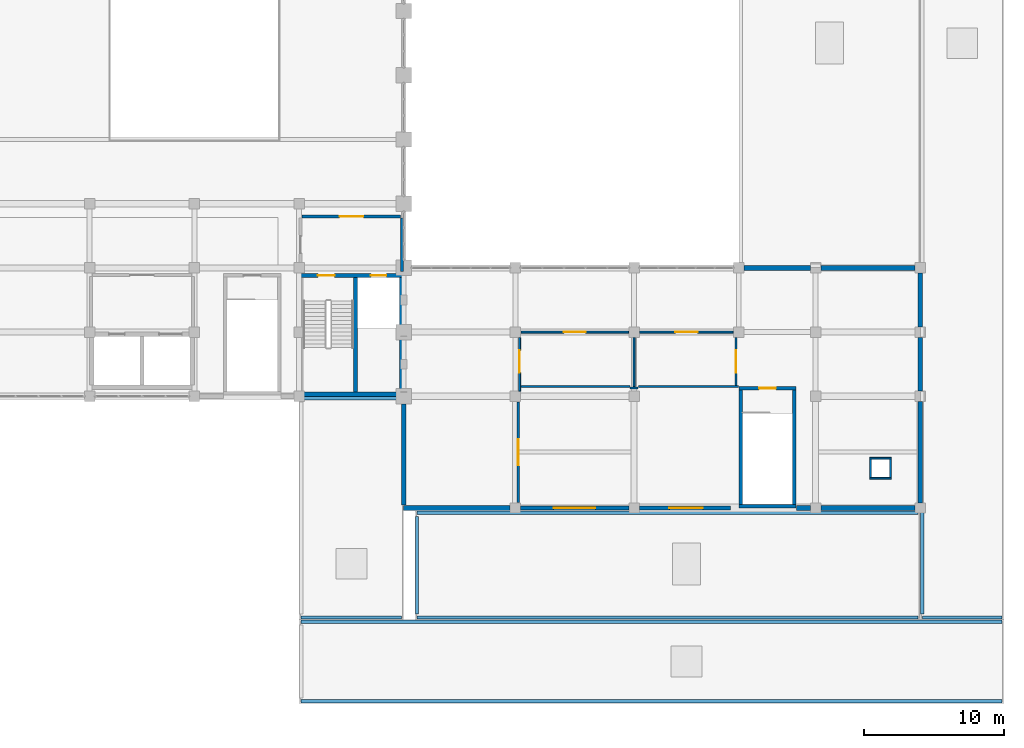
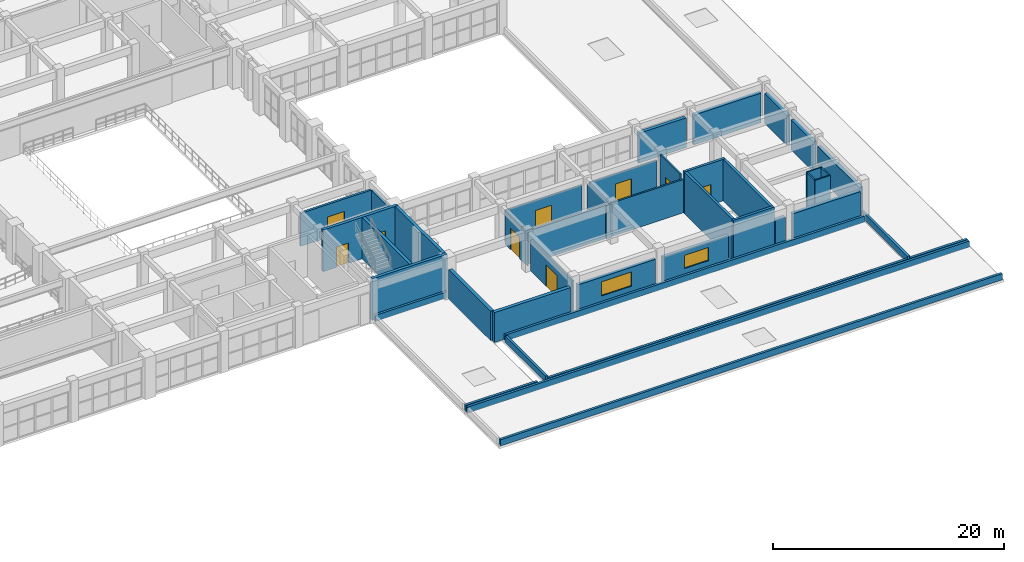
# One storey, part 76 of 90: 43 walls, 9 doors, 2 windows, 11 openings.
"""IFC4 building model written with IfcOpenShell, lengths in metres."""

from ifc_helpers import new_model, si_unit, direction, frame, frame_2d, origin, place, context, subcontext, project, spatial, rectangle, extrude, material, layer, layer_set, type_object, element, fill, save


model = new_model("IFC4")

# Units and contexts
model_context = context("Model", 3, precision=1e-05, world=origin(), true_north=direction((0.0, 1.0)))
body_context = subcontext(model_context, "Body", "Model", "MODEL_VIEW")
ifc_project = project(units=[si_unit("LENGTHUNIT", "METRE"), si_unit("AREAUNIT", "SQUARE_METRE"), si_unit("VOLUMEUNIT", "CUBIC_METRE"), si_unit("PLANEANGLEUNIT", "RADIAN"), si_unit("MASSUNIT", "GRAM", prefix="KILO")], contexts=[model_context])

# Site, building, storey
site_placement = place(None, origin())
site = spatial("IfcSite", under=ifc_project, at=site_placement, CompositionType="ELEMENT")
building_placement = place(site_placement, origin())
building = spatial("IfcBuilding", under=site, at=building_placement, Name="Muzn Square Opera House", CompositionType="ELEMENT")
storey_placement = place(building_placement, frame((0.0, 0.0, 9.800048828125)))
storey = spatial("IfcBuildingStorey", under=building, at=storey_placement, Name="L02", CompositionType="ELEMENT", Elevation=9.800048828125)

# Walls
ifc_material_1 = material(Name="Concrete C45/55", Category="concrete")
ifc_layer_1 = layer(ifc_material_1, 0.25, Name="Concrete C45/55", Category="concrete")
ifc_layer_set_1 = layer_set([ifc_layer_1], Name="Concrete C45/55")
wall_type_1 = type_object("IfcWallType", Name="Aux Stair Enclosure Wall 250mm", PredefinedType="SHEAR", material=ifc_layer_set_1)
wall_1_placement = place(storey_placement, frame((157.0, 14.125, 0.0), z_axis=(0.0, 0.0, 1.0), x_axis=(1.0, 0.0, 0.0)))
element("IfcWall", 1, at=wall_1_placement, inside=storey, type_object=wall_type_1, Name="Escape Stair ST-8 Wall S L02", PredefinedType="SHEAR", context=body_context, shape_type="SweptSolid", body=[
    extrude(rectangle(XDim=4.10009765625, YDim=0.25, at=frame_2d((2.050048828125, 0.0))), origin(), (0.0, 0.0, 1.0), 4.39990234375),
])
for number, where, z_axis, x_axis, name in (
    (2, (157.125, 14.25, 0.0), (0.0, 0.0, 1.0), (0.0, 1.0, 0.0), "Escape Stair ST-8 Wall W L02"),
    (3, (160.97509765625, 14.25, 0.0), (0.0, 0.0, 1.0), (0.0, 1.0, 0.0), "Escape Stair ST-8 Wall E L02"),
):
    element("IfcWall", number, at=place(storey_placement, frame(where, z_axis=z_axis, x_axis=x_axis)), inside=storey, type_object=wall_type_1, Name=name, PredefinedType="SHEAR", context=body_context, shape_type="SweptSolid", body=[
        extrude(rectangle(XDim=8.199951171875, YDim=0.25, at=frame_2d((4.10009765625, 0.0))), origin(), (0.0, 0.0, 1.0), 4.39990234375),
    ])

# Wall, opening, door
wall_2_placement = place(storey_placement, frame((157.0, 22.574951171875, 0.0), z_axis=(0.0, 0.0, 1.0), x_axis=(1.0, 0.0, 0.0)))
wall_2 = element("IfcWall", 4, at=wall_2_placement, inside=storey, type_object=wall_type_1, Name="Escape Stair ST-8 Wall N L02", PredefinedType="SHEAR", context=body_context, shape_type="SweptSolid", body=[
    extrude(rectangle(XDim=4.10009765625, YDim=0.25, at=frame_2d((2.050048828125, 0.0))), origin(), (0.0, 0.0, 1.0), 4.39990234375),
])
opening_1_placement = place(wall_2_placement, frame((1.449951171875, 0.0, 0.0)))
opening_1 = element("IfcOpeningElement", 5, at=opening_1_placement, cuts=wall_2, Name="Opening DR-ST12", PredefinedType="OPENING", context=body_context, shape_type="SweptSolid", body=[
    extrude(rectangle(XDim=1.199951171875, YDim=2.14990234375, at=frame_2d((0.60009765625, 1.074951171875))), frame((0.0, 0.135009765625, 0.0), z_axis=(0.0, -1.0, 0.0), x_axis=(1.0, 0.0, 0.0)), (0.0, 0.0, 1.0), 0.27001953125),
])
ifc_material_2 = material(Name="Galvanised painted steel leaf", Category="metal")
door_type_1 = type_object("IfcDoorType", Name="Core Stair Fire Door 1200x2150", OperationType="NOTDEFINED", PredefinedType="DOOR", material=ifc_material_2)
door_1_placement = place(opening_1_placement, origin())
door_1 = element("IfcDoor", 6, at=door_1_placement, inside=storey, type_object=door_type_1, Name="Escape Stair ST-8 Door L02", OperationType="SINGLE_SWING_LEFT", OverallHeight=2.14990234375, OverallWidth=1.199951171875, PredefinedType="DOOR", context=body_context, shape_type="SweptSolid", body=[
    extrude(rectangle(XDim=1.199951171875, YDim=2.14990234375, at=frame_2d((0.60009765625, 1.074951171875))), frame((0.0, 0.02490234375, 0.0), z_axis=(0.0, -1.0, 0.0), x_axis=(1.0, 0.0, 0.0)), (0.0, 0.0, 1.0), 0.050048828125),
])
fill(opening_1, door_1)

# Walls
ifc_layer_2 = layer(ifc_material_1, 0.300048828125, Name="Concrete C45/55", Category="concrete")
ifc_layer_set_2 = layer_set([ifc_layer_2], Name="Concrete C45/55")
wall_type_2 = type_object("IfcWallType", Name="Core Shear Wall 300mm", PredefinedType="SHEAR", material=ifc_layer_set_2)
wall_3_placement = place(storey_placement, frame((125.5, 22.14990234375, 0.0), z_axis=(0.0, 0.0, 1.0), x_axis=(1.0, 0.0, 0.0)))
element("IfcWall", 7, at=wall_3_placement, inside=storey, type_object=wall_type_2, Name="Core C4 Shear Wall SW-C4-L02-S", PredefinedType="SHEAR", context=body_context, shape_type="SweptSolid", body=[
    extrude(rectangle(XDim=7.5, YDim=0.300048828125, at=frame_2d((3.75, 0.0))), origin(), (0.0, 0.0, 1.0), 4.39990234375),
])
for number, where, z_axis, x_axis, name in (
    (8, (132.85009765625, 22.300048828125, 0.0), (0.0, 0.0, 1.0), (0.0, 1.0, 0.0), "Core C4 Shear Wall SW-C4-L02-E"),
    (9, (129.550048828125, 22.300048828125, 0.0), (0.0, 0.0, 1.0), (0.0, 1.0, 0.0), "Core C4 Shear Wall SW-C4-L02-DIV"),
):
    element("IfcWall", number, at=place(storey_placement, frame(where, z_axis=z_axis, x_axis=x_axis)), inside=storey, type_object=wall_type_2, Name=name, PredefinedType="SHEAR", context=body_context, shape_type="SweptSolid", body=[
        extrude(rectangle(XDim=8.199951171875, YDim=0.300048828125, at=frame_2d((4.10009765625, 0.0))), origin(), (0.0, 0.0, 1.0), 4.39990234375),
    ])

# Wall, openings, doors
wall_4_placement = place(storey_placement, frame((125.5, 30.64990234375, 0.0), z_axis=(0.0, 0.0, 1.0), x_axis=(1.0, 0.0, 0.0)))
wall_4 = element("IfcWall", 10, at=wall_4_placement, inside=storey, type_object=wall_type_2, Name="Core C4 Front Shear Wall L02", PredefinedType="SHEAR", context=body_context, shape_type="SweptSolid", body=[
    extrude(rectangle(XDim=7.5, YDim=0.300048828125, at=frame_2d((3.75, 0.0))), origin(), (0.0, 0.0, 1.0), 4.39990234375),
])
opening_2_placement = place(wall_4_placement, frame((1.35009765625, 0.0, 0.0)))
opening_2 = element("IfcOpeningElement", 11, at=opening_2_placement, cuts=wall_4, Name="Opening DR-ST12", PredefinedType="OPENING", context=body_context, shape_type="SweptSolid", body=[
    extrude(rectangle(XDim=1.199951171875, YDim=2.14990234375, at=frame_2d((0.60009765625, 1.074951171875))), frame((0.0, 0.159912109375, 0.0), z_axis=(0.0, -1.0, 0.0), x_axis=(1.0, 0.0, 0.0)), (0.0, 0.0, 1.0), 0.320068359375),
])
opening_3_placement = place(wall_4_placement, frame((5.14990234375, 0.0, 0.0)))
opening_3 = element("IfcOpeningElement", 12, at=opening_3_placement, cuts=wall_4, Name="Opening LD-01", PredefinedType="OPENING", context=body_context, shape_type="SweptSolid", body=[
    extrude(rectangle(XDim=1.10009765625, YDim=2.14990234375, at=frame_2d((0.550048828125, 1.074951171875))), frame((0.0, 0.159912109375, 0.0), z_axis=(0.0, -1.0, 0.0), x_axis=(1.0, 0.0, 0.0)), (0.0, 0.0, 1.0), 0.320068359375),
])
door_2_placement = place(opening_2_placement, origin())
door_2 = element("IfcDoor", 13, at=door_2_placement, inside=storey, type_object=door_type_1, Name="Core C4 Stair Door L02", OperationType="SINGLE_SWING_RIGHT", OverallHeight=2.14990234375, OverallWidth=1.199951171875, PredefinedType="DOOR", context=body_context, shape_type="SweptSolid", body=[
    extrude(rectangle(XDim=1.199951171875, YDim=2.14990234375, at=frame_2d((0.60009765625, 1.074951171875))), frame((0.0, 0.02490234375, 0.0), z_axis=(0.0, -1.0, 0.0), x_axis=(1.0, 0.0, 0.0)), (0.0, 0.0, 1.0), 0.050048828125),
])
fill(opening_2, door_2)
ifc_material_3 = material(Name="Brushed stainless steel", Category="metal")
door_type_2 = type_object("IfcDoorType", Name="Lift Landing Sliding Door 1100x2150", OperationType="SLIDING_TO_LEFT", PredefinedType="DOOR", material=ifc_material_3)
door_3_placement = place(opening_3_placement, origin())
door_3 = element("IfcDoor", 14, at=door_3_placement, inside=storey, type_object=door_type_2, Name="Lift PL-3 Sliding Landing Door L02", OperationType="SLIDING_TO_LEFT", OverallHeight=2.14990234375, OverallWidth=1.10009765625, PredefinedType="DOOR", context=body_context, shape_type="SweptSolid", body=[
    extrude(rectangle(XDim=1.10009765625, YDim=2.14990234375, at=frame_2d((0.550048828125, 1.074951171875))), frame((0.0, 0.02490234375, 0.0), z_axis=(0.0, -1.0, 0.0), x_axis=(1.0, 0.0, 0.0)), (0.0, 0.0, 1.0), 0.050048828125),
])
fill(opening_3, door_3)

# Wall, opening, window
ifc_material_4 = material(Name="Concrete C40/50", Category="concrete")
ifc_layer_3 = layer(ifc_material_4, 0.31005859375, Name="Concrete C40/50", Category="concrete")
ifc_layer_set_3 = layer_set([ifc_layer_3], Name="Concrete C40/50")
wall_type_3 = type_object("IfcWallType", Name="Exterior Gallery Facade Wall 310mm", PredefinedType="SOLIDWALL", material=ifc_layer_set_3)
wall_5_placement = place(storey_placement, frame((141.375, 14.0, 0.0), z_axis=(0.0, 0.0, 1.0), x_axis=(1.0, 0.0, 0.0)))
wall_5 = element("IfcWall", 15, at=wall_5_placement, inside=storey, type_object=wall_type_3, Name="Exterior Facade Wall EW-L02-089", PredefinedType="SOLIDWALL", context=body_context, shape_type="SweptSolid", body=[
    extrude(rectangle(XDim=7.75, YDim=0.31005859375, at=frame_2d((3.875, 0.0))), origin(), (0.0, 0.0, 1.0), 3.14990234375),
])
opening_4_placement = place(wall_5_placement, frame((2.35498046875, 0.0, 1.14990234375)))
opening_4 = element("IfcOpeningElement", 16, at=opening_4_placement, cuts=wall_5, Name="Opening WN-E3015", PredefinedType="OPENING", context=body_context, shape_type="SweptSolid", body=[
    extrude(rectangle(XDim=3.0, YDim=1.5, at=frame_2d((1.5, 0.75))), frame((0.0, 0.1650390625, 0.0), z_axis=(0.0, -1.0, 0.0), x_axis=(1.0, 0.0, 0.0)), (0.0, 0.0, 1.0), 0.330078125),
])
ifc_material_5 = material(Name="Low-E laminated acoustic double glazing", Category="glass")
window_type_1 = type_object("IfcWindowType", Name="Exhibition Clerestory Window 3000x1500", PartitioningType="DOUBLE_PANEL_HORIZONTAL", PredefinedType="WINDOW", material=ifc_material_5)
window_1_placement = place(opening_4_placement, origin())
window_1 = element("IfcWindow", 17, at=window_1_placement, inside=storey, type_object=window_type_1, Name="Exhibition Clerestory Window 3000x1500 EW-L02-089-WN01", OverallHeight=1.5, OverallWidth=3.0, PartitioningType="SINGLE_PANEL", PredefinedType="WINDOW", context=body_context, shape_type="SweptSolid", body=[
    extrude(rectangle(XDim=3.0, YDim=1.5, at=frame_2d((1.5, 0.75))), frame((0.0, 0.030029296875, 0.0), z_axis=(0.0, -1.0, 0.0), x_axis=(1.0, 0.0, 0.0)), (0.0, 0.0, 1.0), 0.06005859375),
])
fill(opening_4, window_1)

wall_6_placement = place(storey_placement, frame((149.875, 14.0, 0.0), z_axis=(0.0, 0.0, 1.0), x_axis=(1.0, 0.0, 0.0)))
wall_6 = element("IfcWall", 18, at=wall_6_placement, inside=storey, type_object=wall_type_3, Name="Exterior Facade Wall EW-L02-090", PredefinedType="SOLIDWALL", context=body_context, shape_type="SweptSolid", body=[
    extrude(rectangle(XDim=6.544921875, YDim=0.31005859375, at=frame_2d((3.2724609375, 0.0))), origin(), (0.0, 0.0, 1.0), 3.099853515625),
])
opening_5_placement = place(wall_6_placement, frame((2.155029296875, 0.0, 1.14990234375)))
opening_5 = element("IfcOpeningElement", 19, at=opening_5_placement, cuts=wall_6, Name="Opening WN-E2414", PredefinedType="OPENING", context=body_context, shape_type="SweptSolid", body=[
    extrude(rectangle(XDim=2.39990234375, YDim=1.39990234375, at=frame_2d((1.199951171875, 0.699951171875))), frame((0.0, 0.1650390625, 0.0), z_axis=(0.0, -1.0, 0.0), x_axis=(1.0, 0.0, 0.0)), (0.0, 0.0, 1.0), 0.330078125),
])
window_type_2 = type_object("IfcWindowType", Name="Exhibition Clerestory Window 2400x1400", PartitioningType="DOUBLE_PANEL_HORIZONTAL", PredefinedType="WINDOW", material=ifc_material_5)
window_2_placement = place(opening_5_placement, origin())
window_2 = element("IfcWindow", 20, at=window_2_placement, inside=storey, type_object=window_type_2, Name="Exhibition Clerestory Window 2400x1400 EW-L02-090-WN01", OverallHeight=1.39990234375, OverallWidth=2.39990234375, PartitioningType="SINGLE_PANEL", PredefinedType="WINDOW", context=body_context, shape_type="SweptSolid", body=[
    extrude(rectangle(XDim=2.39990234375, YDim=1.39990234375, at=frame_2d((1.199951171875, 0.699951171875))), frame((0.0, 0.030029296875, 0.0), z_axis=(0.0, -1.0, 0.0), x_axis=(1.0, 0.0, 0.0)), (0.0, 0.0, 1.0), 0.06005859375),
])
fill(opening_5, window_2)

# Walls
ifc_layer_4 = layer(ifc_material_4, 0.340087890625, Name="Concrete C40/50", Category="concrete")
ifc_layer_set_4 = layer_set([ifc_layer_4], Name="Concrete C40/50")
wall_type_4 = type_object("IfcWallType", Name="Exterior Insulated Spandrel Wall 340mm", PredefinedType="SOLIDWALL", material=ifc_layer_set_4)
wall_7_placement = place(storey_placement, frame((157.375, 31.199951171875, 0.0), z_axis=(0.0, 0.0, 1.0), x_axis=(1.0, 0.0, 0.0)))
element("IfcWall", 21, at=wall_7_placement, inside=storey, type_object=wall_type_4, Name="Exterior Facade Wall EW-L02-199", PredefinedType="SOLIDWALL", context=body_context, shape_type="SweptSolid", body=[
    extrude(rectangle(XDim=4.75, YDim=0.340087890625, at=frame_2d((2.375, 0.0))), origin(), (0.0, 0.0, 1.0), 3.14990234375),
])
wall_8_placement = place(storey_placement, frame((162.875, 31.199951171875, 0.0), z_axis=(0.0, 0.0, 1.0), x_axis=(1.0, 0.0, 0.0)))
element("IfcWall", 22, at=wall_8_placement, inside=storey, type_object=wall_type_4, Name="Exterior Facade Wall EW-L02-200", PredefinedType="SOLIDWALL", context=body_context, shape_type="SweptSolid", body=[
    extrude(rectangle(XDim=6.75, YDim=0.340087890625, at=frame_2d((3.375, 0.0))), origin(), (0.0, 0.0, 1.0), 3.14990234375),
])
wall_9_placement = place(storey_placement, frame((170.0, 14.375, 0.0), z_axis=(0.0, 0.0, 1.0), x_axis=(0.0, 1.0, 0.0)))
element("IfcWall", 23, at=wall_9_placement, inside=storey, type_object=wall_type_4, Name="Exterior Facade Wall EW-L02-201", PredefinedType="SOLIDWALL", context=body_context, shape_type="SweptSolid", body=[
    extrude(rectangle(XDim=7.25, YDim=0.340087890625, at=frame_2d((3.625, 0.0))), origin(), (0.0, 0.0, 1.0), 3.14990234375),
])
wall_10_placement = place(storey_placement, frame((170.0, 22.375, 0.0), z_axis=(0.0, 0.0, 1.0), x_axis=(0.0, 1.0, 0.0)))
element("IfcWall", 24, at=wall_10_placement, inside=storey, type_object=wall_type_4, Name="Exterior Facade Wall EW-L02-202", PredefinedType="SOLIDWALL", context=body_context, shape_type="SweptSolid", body=[
    extrude(rectangle(XDim=3.85009765625, YDim=0.340087890625, at=frame_2d((1.925048828125, 0.0))), origin(), (0.0, 0.0, 1.0), 3.14990234375),
])
wall_11_placement = place(storey_placement, frame((170.0, 26.97509765625, 0.0), z_axis=(0.0, 0.0, 1.0), x_axis=(0.0, 1.0, 0.0)))
element("IfcWall", 25, at=wall_11_placement, inside=storey, type_object=wall_type_4, Name="Exterior Facade Wall EW-L02-203", PredefinedType="SOLIDWALL", context=body_context, shape_type="SweptSolid", body=[
    extrude(rectangle(XDim=3.849853515625, YDim=0.340087890625, at=frame_2d((1.9248046875, 0.0))), origin(), (0.0, 0.0, 1.0), 3.14990234375),
])
wall_12_placement = place(storey_placement, frame((133.0, 14.0, 0.0), z_axis=(0.0, 0.0, 1.0), x_axis=(1.0, 0.0, 0.0)))
element("IfcWall", 26, at=wall_12_placement, inside=storey, type_object=wall_type_4, Name="Exterior Facade Wall EW-L02-204", PredefinedType="SOLIDWALL", context=body_context, shape_type="SweptSolid", body=[
    extrude(rectangle(XDim=7.625, YDim=0.340087890625, at=frame_2d((3.8125, 0.0))), origin(), (0.0, 0.0, 1.0), 3.14990234375),
])
wall_13_placement = place(storey_placement, frame((162.875, 14.0, 0.0), z_axis=(0.0, 0.0, 1.0), x_axis=(1.0, 0.0, 0.0)))
element("IfcWall", 27, at=wall_13_placement, inside=storey, type_object=wall_type_4, Name="Exterior Facade Wall EW-L02-206", PredefinedType="SOLIDWALL", context=body_context, shape_type="SweptSolid", body=[
    extrude(rectangle(XDim=6.75, YDim=0.340087890625, at=frame_2d((3.375, 0.0))), origin(), (0.0, 0.0, 1.0), 3.14990234375),
])
wall_14_placement = place(storey_placement, frame((133.0, 14.199951171875, 0.0), z_axis=(0.0, 0.0, 1.0), x_axis=(0.0, 1.0, 0.0)))
element("IfcWall", 28, at=wall_14_placement, inside=storey, type_object=wall_type_4, Name="Exterior Facade Wall EW-L02-207", PredefinedType="SOLIDWALL", context=body_context, shape_type="SweptSolid", body=[
    extrude(rectangle(XDim=7.25, YDim=0.340087890625, at=frame_2d((3.625, 0.0))), origin(), (0.0, 0.0, 1.0), 3.14990234375),
])
wall_15_placement = place(storey_placement, frame((161.1201171875, 14.0, 0.0), z_axis=(0.0, 0.0, 1.0), x_axis=(1.0, 0.0, 0.0)))
element("IfcWall", 29, at=wall_15_placement, inside=storey, type_object=wall_type_4, Name="Exterior Facade Wall EW-L02-205", PredefinedType="SOLIDWALL", context=body_context, shape_type="SweptSolid", body=[
    extrude(rectangle(XDim=1.0048828125, YDim=0.340087890625, at=frame_2d((0.50244140625, 0.0))), origin(), (0.0, 0.0, 1.0), 3.099853515625),
])
ifc_material_6 = material(Name="Acoustic gypsum stud partition", Category="gypsum")
ifc_layer_5 = layer(ifc_material_6, 0.169921875, Name="Acoustic gypsum stud partition", Category="gypsum")
ifc_layer_set_5 = layer_set([ifc_layer_5], Name="Acoustic gypsum stud partition")
wall_type_5 = type_object("IfcWallType", Name="Gallery Partition 170mm", PredefinedType="PARTITIONING", material=ifc_layer_set_5)
wall_16_placement = place(storey_placement, frame((141.375, 22.699951171875, 0.0), z_axis=(0.0, 0.0, 1.0), x_axis=(1.0, 0.0, 0.0)))
element("IfcWall", 30, at=wall_16_placement, inside=storey, type_object=wall_type_5, Name="Interior Partition PW-L02-0258", PredefinedType="PARTITIONING", context=body_context, shape_type="SweptSolid", body=[
    extrude(rectangle(XDim=7.824951171875, YDim=0.169921875, at=frame_2d((3.91259765625, 0.0))), origin(), (0.0, 0.0, 1.0), 3.530029296875),
])

# Wall, opening, door
wall_17_placement = place(storey_placement, frame((141.199951171875, 14.39990234375, 0.0), z_axis=(0.0, 0.0, 1.0), x_axis=(0.0, 1.0, 0.0)))
wall_17 = element("IfcWall", 31, at=wall_17_placement, inside=storey, type_object=wall_type_5, Name="Interior Partition PW-L02-0260", PredefinedType="PARTITIONING", context=body_context, shape_type="SweptSolid", body=[
    extrude(rectangle(XDim=7.205078125, YDim=0.169921875, at=frame_2d((3.6025390625, 0.0))), origin(), (0.0, 0.0, 1.0), 3.329833984375),
])
opening_6_placement = place(wall_17_placement, frame((2.677490234375, 0.0, 0.0)))
opening_6 = element("IfcOpeningElement", 32, at=opening_6_placement, cuts=wall_17, Name="Opening DR-EG18", PredefinedType="OPENING", context=body_context, shape_type="SweptSolid", body=[
    extrude(rectangle(XDim=1.85009765625, YDim=2.300048828125, at=frame_2d((0.925048828125, 1.14990234375))), frame((0.0, 0.094970703125, 0.0), z_axis=(0.0, -1.0, 0.0), x_axis=(1.0, 0.0, 0.0)), (0.0, 0.0, 1.0), 0.18994140625),
])
ifc_material_7 = material(Name="Acoustic hardwood leaf", Category="wood")
door_type_3 = type_object("IfcDoorType", Name="Exhibition Gallery Pair 1850x2300", OperationType="DOUBLE_DOOR_SINGLE_SWING", PredefinedType="DOOR", material=ifc_material_7)
door_4_placement = place(opening_6_placement, origin())
door_4 = element("IfcDoor", 33, at=door_4_placement, inside=storey, type_object=door_type_3, Name="Patron Heritage Gallery Door DR-L02-0074", OperationType="DOUBLE_DOOR_SINGLE_SWING", OverallHeight=2.300048828125, OverallWidth=1.85009765625, PredefinedType="DOOR", context=body_context, shape_type="SweptSolid", body=[
    extrude(rectangle(XDim=1.85009765625, YDim=2.300048828125, at=frame_2d((0.925048828125, 1.14990234375))), frame((0.0, 0.02490234375, 0.0), z_axis=(0.0, -1.0, 0.0), x_axis=(1.0, 0.0, 0.0)), (0.0, 0.0, 1.0), 0.050048828125),
])
fill(opening_6, door_4)

# Walls
wall_18_placement = place(storey_placement, frame((149.800048828125, 22.699951171875, 0.0), z_axis=(0.0, 0.0, 1.0), x_axis=(1.0, 0.0, 0.0)))
element("IfcWall", 34, at=wall_18_placement, inside=storey, type_object=wall_type_5, Name="Interior Partition PW-L02-0259", PredefinedType="PARTITIONING", context=body_context, shape_type="SweptSolid", body=[
    extrude(rectangle(XDim=7.179931640625, YDim=0.169921875, at=frame_2d((3.58984375, 0.0))), origin(), (0.0, 0.0, 1.0), 3.530029296875),
])
wall_19_placement = place(storey_placement, frame((149.219970703125, 22.60009765625, 0.0), z_axis=(0.0, 0.0, 1.0), x_axis=(1.0, 0.0, 0.0)))
element("IfcWall", 35, at=wall_19_placement, inside=storey, type_object=wall_type_5, Name="Room Enclosure Partition PW-L02-0319", PredefinedType="PARTITIONING", context=body_context, shape_type="SweptSolid", body=[
    extrude(rectangle(XDim=0.56005859375, YDim=0.169921875, at=frame_2d((0.280029296875, 0.0))), origin(), (0.0, 0.0, 1.0), 3.530029296875),
])

# Wall, opening, door
ifc_layer_6 = layer(ifc_material_4, 0.219970703125, Name="Concrete C40/50", Category="concrete")
ifc_layer_set_6 = layer_set([ifc_layer_6], Name="Concrete C40/50")
wall_type_6 = type_object("IfcWallType", Name="Lift Lobby Wall 220mm", PredefinedType="SOLIDWALL", material=ifc_layer_set_6)
wall_20_placement = place(storey_placement, frame((125.719970703125, 34.889892578125, 0.0), z_axis=(0.0, 0.0, 1.0), x_axis=(1.0, 0.0, 0.0)))
wall_20 = element("IfcWall", 36, at=wall_20_placement, inside=storey, type_object=wall_type_6, Name="Lobby C4 Enclosure Wall L02", PredefinedType="SOLIDWALL", context=body_context, shape_type="SweptSolid", body=[
    extrude(rectangle(XDim=7.06005859375, YDim=0.219970703125, at=frame_2d((3.530029296875, 0.0))), origin(), (0.0, 0.0, 1.0), 3.5),
])
opening_7_placement = place(wall_20_placement, frame((2.679931640625, 0.0, 0.0)))
opening_7 = element("IfcOpeningElement", 37, at=opening_7_placement, cuts=wall_20, Name="Opening DR-LL17", PredefinedType="OPENING", context=body_context, shape_type="SweptSolid", body=[
    extrude(rectangle(XDim=1.699951171875, YDim=2.179931640625, at=frame_2d((0.85009765625, 1.08984375))), frame((0.0, 0.119873046875, 0.0), z_axis=(0.0, -1.0, 0.0), x_axis=(1.0, 0.0, 0.0)), (0.0, 0.0, 1.0), 0.239990234375),
])
door_type_4 = type_object("IfcDoorType", Name="Lift Lobby Double Door 1700x2180", OperationType="DOUBLE_DOOR_SINGLE_SWING", PredefinedType="DOOR", material=ifc_material_7)
door_5_placement = place(opening_7_placement, origin())
door_5 = element("IfcDoor", 38, at=door_5_placement, inside=storey, type_object=door_type_4, Name="Lobby C4 Fire Door L02", OperationType="DOUBLE_DOOR_SINGLE_SWING", OverallHeight=2.179931640625, OverallWidth=1.699951171875, PredefinedType="DOOR", context=body_context, shape_type="SweptSolid", body=[
    extrude(rectangle(XDim=1.699951171875, YDim=2.179931640625, at=frame_2d((0.85009765625, 1.08984375))), frame((0.0, 0.02490234375, 0.0), z_axis=(0.0, -1.0, 0.0), x_axis=(1.0, 0.0, 0.0)), (0.0, 0.0, 1.0), 0.050048828125),
])
fill(opening_7, door_5)

# Walls
wall_21_placement = place(storey_placement, frame((132.889892578125, 30.949951171875, 0.0), z_axis=(0.0, 0.0, 1.0), x_axis=(0.0, 1.0, 0.0)))
element("IfcWall", 39, at=wall_21_placement, inside=storey, type_object=wall_type_6, Name="Lobby C4 Side Wall E L02", PredefinedType="SOLIDWALL", context=body_context, shape_type="SweptSolid", body=[
    extrude(rectangle(XDim=3.830078125, YDim=0.219970703125, at=frame_2d((1.9150390625, 0.0))), origin(), (0.0, 0.0, 1.0), 3.5),
])
ifc_material_8 = material(Name="Precast concrete C40/50", Category="concrete")
ifc_layer_7 = layer(ifc_material_8, 0.239990234375, Name="Precast concrete C40/50", Category="concrete")
ifc_layer_set_7 = layer_set([ifc_layer_7], Name="Precast concrete C40/50")
wall_type_7 = type_object("IfcWallType", Name="Roof Parapet Wall 240mm", PredefinedType="PARAPET", material=ifc_layer_set_7)
for number, where, z_axis, x_axis, name in (
    (40, (125.64990234375, 0.14990234375, 0.0), (0.0, 0.0, 1.0), (1.0, 0.0, 0.0), "Roof Parapet ROOF-L02-COL-ES-S"),
    (41, (125.64990234375, 5.85009765625, 0.0), (0.0, 0.0, 1.0), (1.0, 0.0, 0.0), "Roof Parapet ROOF-L02-COL-ES-N"),
):
    element("IfcWall", number, at=place(storey_placement, frame(where, z_axis=z_axis, x_axis=x_axis)), inside=storey, type_object=wall_type_7, Name=name, PredefinedType="PARAPET", context=body_context, shape_type="SweptSolid", body=[
        extrude(rectangle(XDim=50.2001953125, YDim=0.239990234375, at=frame_2d((25.10009765625, 0.0))), origin(), (0.0, 0.0, 1.0), 0.64990234375),
    ])
for number, where, z_axis, x_axis, name in (
    (42, (125.64990234375, 6.14990234375, 0.0), (0.0, 0.0, 1.0), (1.0, 0.0, 0.0), "Roof Parapet ROOF-L02-COL-EFC-S"),
    (43, (125.64990234375, 21.85009765625, 0.0), (0.0, 0.0, 1.0), (1.0, 0.0, 0.0), "Roof Parapet ROOF-L02-COL-EFC-N"),
):
    element("IfcWall", number, at=place(storey_placement, frame(where, z_axis=z_axis, x_axis=x_axis)), inside=storey, type_object=wall_type_7, Name=name, PredefinedType="PARAPET", context=body_context, shape_type="SweptSolid", body=[
        extrude(rectangle(XDim=7.2001953125, YDim=0.239990234375, at=frame_2d((3.60009765625, 0.0))), origin(), (0.0, 0.0, 1.0), 0.64990234375),
    ])
wall_22_placement = place(storey_placement, frame((170.14990234375, 6.14990234375, 0.0), z_axis=(0.0, 0.0, 1.0), x_axis=(1.0, 0.0, 0.0)))
element("IfcWall", 44, at=wall_22_placement, inside=storey, type_object=wall_type_7, Name="Roof Parapet ROOF-L02-COL-EB-S", PredefinedType="PARAPET", context=body_context, shape_type="SweptSolid", body=[
    extrude(rectangle(XDim=5.7001953125, YDim=0.239990234375, at=frame_2d((2.85009765625, 0.0))), origin(), (0.0, 0.0, 1.0), 0.64990234375),
])
for number, where, z_axis, x_axis, name in (
    (45, (133.949951171875, 6.14990234375, 0.0), (0.0, 0.0, 1.0), (1.0, 0.0, 0.0), "Roof Parapet ROOF-L02-ESSTEP-S"),
    (46, (133.949951171875, 13.64990234375, 0.0), (0.0, 0.0, 1.0), (1.0, 0.0, 0.0), "Roof Parapet ROOF-L02-ESSTEP-N"),
):
    element("IfcWall", number, at=place(storey_placement, frame(where, z_axis=z_axis, x_axis=x_axis)), inside=storey, type_object=wall_type_7, Name=name, PredefinedType="PARAPET", context=body_context, shape_type="SweptSolid", body=[
        extrude(rectangle(XDim=35.900146484375, YDim=0.239990234375, at=frame_2d((17.9501953125, 0.0))), origin(), (0.0, 0.0, 1.0), 0.64990234375),
    ])
wall_23_placement = place(storey_placement, frame((133.949951171875, 6.39990234375, 0.0), z_axis=(0.0, 0.0, 1.0), x_axis=(0.0, 1.0, 0.0)))
element("IfcWall", 47, at=wall_23_placement, inside=storey, type_object=wall_type_7, Name="Roof Parapet ROOF-L02-ESSTEP-W", PredefinedType="PARAPET", context=body_context, shape_type="SweptSolid", body=[
    extrude(rectangle(XDim=7.0, YDim=0.239990234375, at=frame_2d((3.5, 0.0))), origin(), (0.0, 0.0, 1.0), 0.64990234375),
])
wall_24_placement = place(storey_placement, frame((170.14990234375, 6.39990234375, 0.0), z_axis=(0.0, 0.0, 1.0), x_axis=(0.0, 1.0, 0.0)))
element("IfcWall", 48, at=wall_24_placement, inside=storey, type_object=wall_type_7, Name="Roof Parapet ROOF-L02-COL-EB-W", PredefinedType="PARAPET", context=body_context, shape_type="SweptSolid", body=[
    extrude(rectangle(XDim=7.955078125, YDim=0.239990234375, at=frame_2d((3.9775390625, 0.0))), origin(), (0.0, 0.0, 1.0), 0.64990234375),
])
ifc_layer_8 = layer(ifc_material_6, 0.1298828125, Name="Acoustic gypsum stud partition", Category="gypsum")
ifc_layer_set_8 = layer_set([ifc_layer_8], Name="Acoustic gypsum stud partition")
wall_type_8 = type_object("IfcWallType", Name="Service Closet Partition 130mm", PredefinedType="PARTITIONING", material=ifc_layer_set_8)
for number, where, z_axis, x_axis, name in (
    (49, (166.3701171875, 16.135009765625, 0.0), (0.0, 0.0, 1.0), (1.0, 0.0, 0.0), "MEP Riser Shaft Wall RSR-EN L02-S"),
    (50, (166.3701171875, 17.56494140625, 0.0), (0.0, 0.0, 1.0), (1.0, 0.0, 0.0), "MEP Riser Shaft Wall RSR-EN L02-N"),
):
    element("IfcWall", number, at=place(storey_placement, frame(where, z_axis=z_axis, x_axis=x_axis)), inside=storey, type_object=wall_type_8, Name=name, PredefinedType="PARTITIONING", context=body_context, shape_type="SweptSolid", body=[
        extrude(rectangle(XDim=1.559814453125, YDim=0.1298828125, at=frame_2d((0.77978515625, 0.0))), origin(), (0.0, 0.0, 1.0), 4.099853515625),
    ])
for number, where, z_axis, x_axis, name in (
    (51, (166.43505859375, 16.199951171875, 0.0), (0.0, 0.0, 1.0), (0.0, 1.0, 0.0), "MEP Riser Shaft Wall RSR-EN L02-W"),
    (52, (167.864990234375, 16.199951171875, 0.0), (0.0, 0.0, 1.0), (0.0, 1.0, 0.0), "MEP Riser Shaft Wall RSR-EN L02-E"),
):
    element("IfcWall", number, at=place(storey_placement, frame(where, z_axis=z_axis, x_axis=x_axis)), inside=storey, type_object=wall_type_8, Name=name, PredefinedType="PARTITIONING", context=body_context, shape_type="SweptSolid", body=[
        extrude(rectangle(XDim=1.300048828125, YDim=0.1298828125, at=frame_2d((0.64990234375, 0.0))), origin(), (0.0, 0.0, 1.0), 4.099853515625),
    ])
ifc_layer_9 = layer(ifc_material_6, 0.139892578125, Name="Acoustic gypsum stud partition", Category="gypsum")
ifc_layer_set_9 = layer_set([ifc_layer_9], Name="Acoustic gypsum stud partition")
wall_type_9 = type_object("IfcWallType", Name="Wet Room Tile Partition 140mm", PredefinedType="PARTITIONING", material=ifc_layer_set_9)
wall_25_placement = place(storey_placement, frame((149.5, 22.68994140625, 0.0), z_axis=(0.0, 0.0, 1.0), x_axis=(0.0, 1.0, 0.0)))
element("IfcWall", 53, at=wall_25_placement, inside=storey, type_object=wall_type_9, Name="Interior Partition PW-L02-0261", PredefinedType="PARTITIONING", context=body_context, shape_type="SweptSolid", body=[
    extrude(rectangle(XDim=3.51513671875, YDim=0.139892578125, at=frame_2d((1.757568359375, 0.0))), origin(), (0.0, 0.0, 1.0), 3.530029296875),
])

# Wall, opening, door
wall_26_placement = place(storey_placement, frame((141.300048828125, 22.3798828125, 0.0), z_axis=(0.0, 0.0, 1.0), x_axis=(0.0, 1.0, 0.0)))
wall_26 = element("IfcWall", 54, at=wall_26_placement, inside=storey, type_object=wall_type_9, Name="Interior Partition PW-L02-0262", PredefinedType="PARTITIONING", context=body_context, shape_type="SweptSolid", body=[
    extrude(rectangle(XDim=3.8251953125, YDim=0.139892578125, at=frame_2d((1.91259765625, 0.0))), origin(), (0.0, 0.0, 1.0), 3.530029296875),
])
opening_8_placement = place(wall_26_placement, frame((1.322509765625, 0.0, 0.0)))
opening_8 = element("IfcOpeningElement", 55, at=opening_8_placement, cuts=wall_26, Name="Opening DR-AU16", PredefinedType="OPENING", context=body_context, shape_type="SweptSolid", body=[
    extrude(rectangle(XDim=1.60009765625, YDim=2.25, at=frame_2d((0.800048828125, 1.125))), frame((0.0, 0.079833984375, 0.0), z_axis=(0.0, -1.0, 0.0), x_axis=(1.0, 0.0, 0.0)), (0.0, 0.0, 1.0), 0.159912109375),
])
door_type_5 = type_object("IfcDoorType", Name="Balcony Acoustic Entry Door 1600x2250", OperationType="DOUBLE_DOOR_SINGLE_SWING", PredefinedType="DOOR", material=ifc_material_7)
door_6_placement = place(opening_8_placement, origin())
door_6 = element("IfcDoor", 56, at=door_6_placement, inside=storey, type_object=door_type_5, Name="Upper Circle Public WC Door DR-L02-0075", OperationType="DOUBLE_DOOR_SINGLE_SWING", OverallHeight=2.25, OverallWidth=1.60009765625, PredefinedType="DOOR", context=body_context, shape_type="SweptSolid", body=[
    extrude(rectangle(XDim=1.60009765625, YDim=2.25, at=frame_2d((0.800048828125, 1.125))), frame((0.0, 0.02490234375, 0.0), z_axis=(0.0, -1.0, 0.0), x_axis=(1.0, 0.0, 0.0)), (0.0, 0.0, 1.0), 0.050048828125),
])
fill(opening_8, door_6)

wall_27_placement = place(storey_placement, frame((141.39990234375, 26.60009765625, 0.0), z_axis=(0.0, 0.0, 1.0), x_axis=(1.0, 0.0, 0.0)))
wall_27 = element("IfcWall", 57, at=wall_27_placement, inside=storey, type_object=wall_type_9, Name="Interior Partition PW-L02-0263", PredefinedType="PARTITIONING", context=body_context, shape_type="SweptSolid", body=[
    extrude(rectangle(XDim=7.705078125, YDim=0.139892578125, at=frame_2d((3.8525390625, 0.0))), origin(), (0.0, 0.0, 1.0), 3.329833984375),
])
opening_9_placement = place(wall_27_placement, frame((3.052490234375, 0.0, 0.0)))
opening_9 = element("IfcOpeningElement", 58, at=opening_9_placement, cuts=wall_27, Name="Opening DR-AU16", PredefinedType="OPENING", context=body_context, shape_type="SweptSolid", body=[
    extrude(rectangle(XDim=1.60009765625, YDim=2.25, at=frame_2d((0.800048828125, 1.125))), frame((0.0, 0.079833984375, 0.0), z_axis=(0.0, -1.0, 0.0), x_axis=(1.0, 0.0, 0.0)), (0.0, 0.0, 1.0), 0.159912109375),
])
door_7_placement = place(opening_9_placement, origin())
door_7 = element("IfcDoor", 59, at=door_7_placement, inside=storey, type_object=door_type_5, Name="Upper Circle Public WC Door DR-L02-0076", OperationType="DOUBLE_DOOR_SINGLE_SWING", OverallHeight=2.25, OverallWidth=1.60009765625, PredefinedType="DOOR", context=body_context, shape_type="SweptSolid", body=[
    extrude(rectangle(XDim=1.60009765625, YDim=2.25, at=frame_2d((0.800048828125, 1.125))), frame((0.0, 0.02490234375, 0.0), z_axis=(0.0, -1.0, 0.0), x_axis=(1.0, 0.0, 0.0)), (0.0, 0.0, 1.0), 0.050048828125),
])
fill(opening_9, door_7)

wall_28_placement = place(storey_placement, frame((149.89501953125, 26.60009765625, 0.0), z_axis=(0.0, 0.0, 1.0), x_axis=(1.0, 0.0, 0.0)))
wall_28 = element("IfcWall", 60, at=wall_28_placement, inside=storey, type_object=wall_type_9, Name="Interior Partition PW-L02-0264", PredefinedType="PARTITIONING", context=body_context, shape_type="SweptSolid", body=[
    extrude(rectangle(XDim=6.705078125, YDim=0.139892578125, at=frame_2d((3.3525390625, 0.0))), origin(), (0.0, 0.0, 1.0), 3.329833984375),
])
opening_10_placement = place(wall_28_placement, frame((2.552490234375, 0.0, 0.0)))
opening_10 = element("IfcOpeningElement", 61, at=opening_10_placement, cuts=wall_28, Name="Opening DR-AU16", PredefinedType="OPENING", context=body_context, shape_type="SweptSolid", body=[
    extrude(rectangle(XDim=1.60009765625, YDim=2.25, at=frame_2d((0.800048828125, 1.125))), frame((0.0, 0.079833984375, 0.0), z_axis=(0.0, -1.0, 0.0), x_axis=(1.0, 0.0, 0.0)), (0.0, 0.0, 1.0), 0.159912109375),
])
door_8_placement = place(opening_10_placement, origin())
door_8 = element("IfcDoor", 62, at=door_8_placement, inside=storey, type_object=door_type_5, Name="Upper Circle Accessible WC Door DR-L02-0077", OperationType="DOUBLE_DOOR_SINGLE_SWING", OverallHeight=2.25, OverallWidth=1.60009765625, PredefinedType="DOOR", context=body_context, shape_type="SweptSolid", body=[
    extrude(rectangle(XDim=1.60009765625, YDim=2.25, at=frame_2d((0.800048828125, 1.125))), frame((0.0, 0.02490234375, 0.0), z_axis=(0.0, -1.0, 0.0), x_axis=(1.0, 0.0, 0.0)), (0.0, 0.0, 1.0), 0.050048828125),
])
fill(opening_10, door_8)

wall_29_placement = place(storey_placement, frame((156.800048828125, 22.7900390625, 0.0), z_axis=(0.0, 0.0, 1.0), x_axis=(0.0, 1.0, 0.0)))
wall_29 = element("IfcWall", 63, at=wall_29_placement, inside=storey, type_object=wall_type_9, Name="Interior Partition PW-L02-0265", PredefinedType="PARTITIONING", context=body_context, shape_type="SweptSolid", body=[
    extrude(rectangle(XDim=3.4150390625, YDim=0.139892578125, at=frame_2d((1.70751953125, 0.0))), origin(), (0.0, 0.0, 1.0), 4.099853515625),
])
opening_11_placement = place(wall_29_placement, frame((0.91259765625, 0.0, 0.0)))
opening_11 = element("IfcOpeningElement", 64, at=opening_11_placement, cuts=wall_29, Name="Opening DR-AU16", PredefinedType="OPENING", context=body_context, shape_type="SweptSolid", body=[
    extrude(rectangle(XDim=1.60009765625, YDim=2.25, at=frame_2d((0.800048828125, 1.125))), frame((0.0, 0.079833984375, 0.0), z_axis=(0.0, -1.0, 0.0), x_axis=(1.0, 0.0, 0.0)), (0.0, 0.0, 1.0), 0.159912109375),
])
door_9_placement = place(opening_11_placement, origin())
door_9 = element("IfcDoor", 65, at=door_9_placement, inside=storey, type_object=door_type_5, Name="Upper Circle Accessible WC Door DR-L02-0078", OperationType="DOUBLE_DOOR_SINGLE_SWING", OverallHeight=2.25, OverallWidth=1.60009765625, PredefinedType="DOOR", context=body_context, shape_type="SweptSolid", body=[
    extrude(rectangle(XDim=1.60009765625, YDim=2.25, at=frame_2d((0.800048828125, 1.125))), frame((0.0, 0.02490234375, 0.0), z_axis=(0.0, -1.0, 0.0), x_axis=(1.0, 0.0, 0.0)), (0.0, 0.0, 1.0), 0.050048828125),
])
fill(opening_11, door_9)

save(model, "model.ifc")
